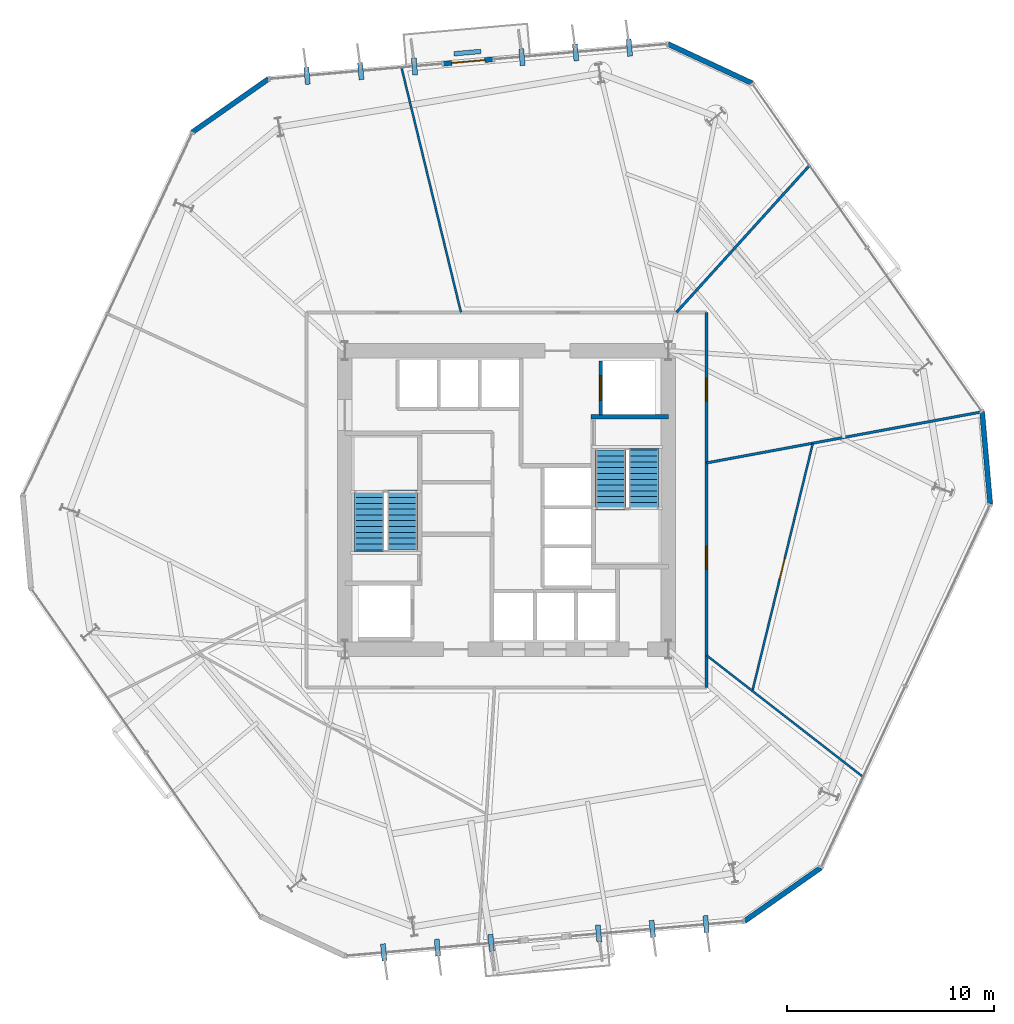
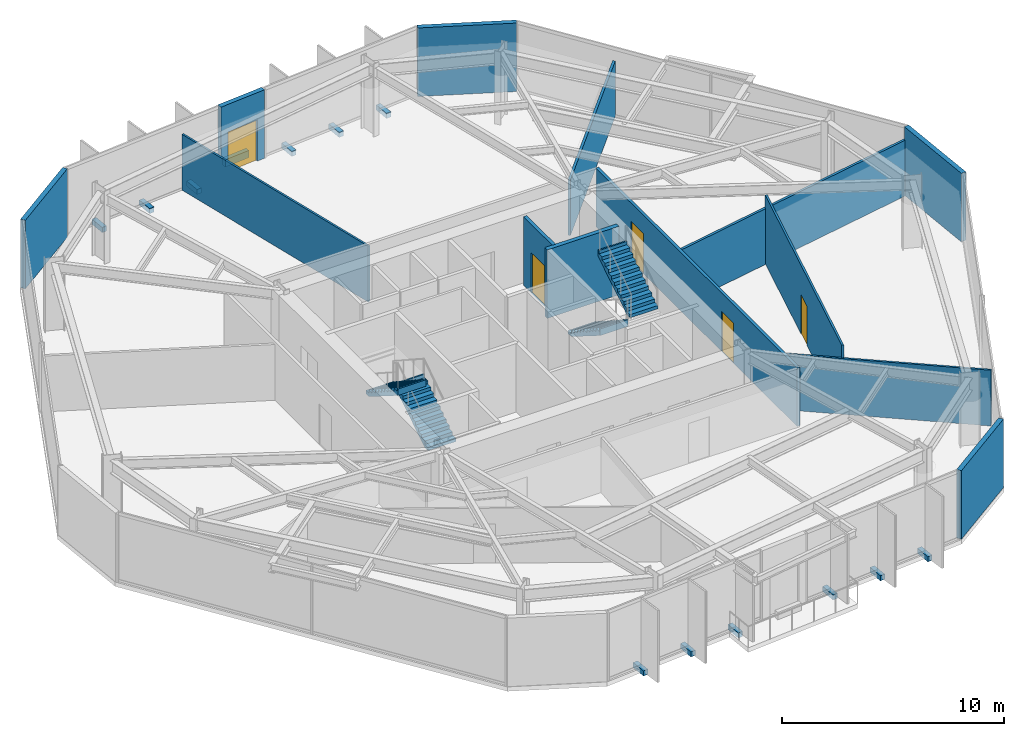
# One storey, part 8 of 11: 14 walls, 12 discrete accessories, 5 doors, 4 stair flights, 5 openings, 2 elements without a shape of their own.
"""IFC4 building model written with IfcOpenShell, lengths in metres."""

import ifcopenshell
import ifcopenshell.guid

model = None  # the IFC model being written
_history = None  # IfcOwnerHistory: only IFC2X3 demands one
_inside = {}  # id of a spatial element -> (the spatial element, [elements in it])
_under = {}  # id of a project, library or spatial element -> (it, [spatial elements below it])
_declared = {}  # id of a project -> (the project, [libraries it declares])
_typed = {}  # id of a type object -> (the type object, [elements of that type])
_made_of = {}  # id of a material, layer set ... -> (it, [elements and type objects made of it])


def new_model(schema):
    """Start an empty IFC model of exactly this schema.

    Asked for "IFC4X3", IfcOpenShell would pick the latest addendum, in which some entities
    have other attributes; the version numbers below select the first issue.
    IFC2X3 requires an IfcOwnerHistory on every rooted entity: one is made here for all.
    """
    global model, _history
    if schema == "IFC4X3":
        model = ifcopenshell.file(schema_version=(4, 3, 0, 0))
    else:
        model = ifcopenshell.file(schema=schema)
    _inside.clear()
    _under.clear()
    _declared.clear()
    _typed.clear()
    _made_of.clear()
    _history = None
    if model.schema == "IFC2X3":
        org = make("IfcOrganization", Name="unknown")
        user = make(
            "IfcPersonAndOrganization",
            ThePerson=make("IfcPerson", FamilyName="unknown"),
            TheOrganization=org,
        )
        app = make(
            "IfcApplication",
            ApplicationDeveloper=org,
            Version="unknown",
            ApplicationFullName="unknown",
            ApplicationIdentifier="unknown",
        )
        _history = make(
            "IfcOwnerHistory",
            OwningUser=user,
            OwningApplication=app,
            ChangeAction="ADDED",
            CreationDate=0,
        )
    return model


def make(cls, **values):
    """One entity of the class cls with the attributes given. An attribute that is None is left unset."""
    return model.create_entity(
        cls, **{name: value for name, value in values.items() if value is not None}
    )


def rooted(cls, **values):
    """An entity with a GlobalId (a new one), such as an element, a storey or a relation."""
    return make(cls, GlobalId=ifcopenshell.guid.new(), OwnerHistory=_history, **values)


def si_unit(unit_type, name, prefix=None):
    """IfcSIUnit, for example si_unit("LENGTHUNIT", "METRE", prefix="MILLI")."""
    return make("IfcSIUnit", UnitType=unit_type, Prefix=prefix, Name=name)


def assignment(units):
    """IfcUnitAssignment: the units of a project."""
    return None if units is None else make("IfcUnitAssignment", Units=units)


def point(xyz):
    """IfcCartesianPoint."""
    return None if xyz is None else make("IfcCartesianPoint", Coordinates=xyz)


def direction(xyz):
    """IfcDirection."""
    return None if xyz is None else make("IfcDirection", DirectionRatios=xyz)


def frame(location, z_axis=None, x_axis=None):
    """IfcAxis2Placement3D, a coordinate frame: its origin and axes. An axis left out is left unset."""
    return make(
        "IfcAxis2Placement3D",
        Location=point(location),
        Axis=direction(z_axis),
        RefDirection=direction(x_axis),
    )


def frame_2d(location, x_axis=None):
    """IfcAxis2Placement2D, a coordinate frame in the plane: its origin and x axis."""
    return make(
        "IfcAxis2Placement2D", Location=point(location), RefDirection=direction(x_axis)
    )


def origin():
    """The frame at (0, 0, 0) with its axes left unset."""
    return frame((0.0, 0.0, 0.0))


def origin_2d():
    """The frame at (0, 0) in the plane with its x axis left unset."""
    return frame_2d((0.0, 0.0))


def place(relative_to, where):
    """IfcLocalPlacement: puts the frame where relative to a parent placement (None: the world)."""
    return make(
        "IfcLocalPlacement", PlacementRelTo=relative_to, RelativePlacement=where
    )


def context(
    kind, dimensions, precision=None, world=None, true_north=None, identifier=None
):
    """IfcGeometricRepresentationContext, for example the 3D "Model" context."""
    return make(
        "IfcGeometricRepresentationContext",
        ContextIdentifier=identifier,
        ContextType=kind,
        CoordinateSpaceDimension=dimensions,
        Precision=precision,
        WorldCoordinateSystem=world,
        TrueNorth=true_north,
    )


def subcontext(parent, identifier, kind, view, scale=None):
    """IfcGeometricRepresentationSubContext, for example "Body" below "Model"."""
    return make(
        "IfcGeometricRepresentationSubContext",
        ContextIdentifier=identifier,
        ContextType=kind,
        ParentContext=parent,
        TargetScale=scale,
        TargetView=view,
    )


def project(units=None, contexts=None):
    """IfcProject with its units and contexts."""
    return rooted(
        "IfcProject",
        Name="project",
        RepresentationContexts=contexts,
        UnitsInContext=assignment(units),
    )


def spatial(cls, under=None, at=None, **own):
    """A site, building, storey or space (cls), placed at a placement, below another one or the project."""
    s = rooted(cls, ObjectPlacement=at, **own)
    if under is not None:
        _under.setdefault(under.id(), (under, []))[1].append(s)
    return s


def polyline(points):
    """IfcPolyline through the points."""
    return make("IfcPolyline", Points=[point(p) for p in points])


def profile(cls, at=None, kind="AREA", **sizes):
    """A parametric profile (cls). Its sizes go by their IFC names, for example OverallWidth=200.0."""
    return make(cls, ProfileType=kind, Position=at, **sizes)


def rectangle(**sizes):
    """IfcRectangleProfileDef."""
    return profile("IfcRectangleProfileDef", **sizes)


def outline(outer, holes=None, kind="AREA"):
    """IfcArbitraryClosedProfileDef: a profile drawn as a closed curve; with holes, ...WithVoids."""
    if holes is None:
        return make("IfcArbitraryClosedProfileDef", ProfileType=kind, OuterCurve=outer)
    return make(
        "IfcArbitraryProfileDefWithVoids",
        ProfileType=kind,
        OuterCurve=outer,
        InnerCurves=holes,
    )


def extrude(swept, where, along, depth):
    """IfcExtrudedAreaSolid: the profile swept, set in the frame where, extruded along a direction by depth."""
    return make(
        "IfcExtrudedAreaSolid",
        SweptArea=swept,
        Position=where,
        ExtrudedDirection=direction(along),
        Depth=depth,
    )


def shape(context_of_items, identifier, shape_type, items):
    """IfcShapeRepresentation: the items that make up one representation, for example the "Body"."""
    return make(
        "IfcShapeRepresentation",
        ContextOfItems=context_of_items,
        RepresentationIdentifier=identifier,
        RepresentationType=shape_type,
        Items=items,
    )


def material(Name=None, Category=None):
    """IfcMaterial."""
    return make("IfcMaterial", Name=Name, Category=Category)


def layer(
    of_material, thickness, ventilated=None, Name=None, Category=None, Priority=None
):
    """IfcMaterialLayer: one layer of a wall or slab, of a material (None: an air gap)."""
    return make(
        "IfcMaterialLayer",
        Material=of_material,
        LayerThickness=thickness,
        IsVentilated=ventilated,
        Name=Name,
        Category=Category,
        Priority=Priority,
    )


def layer_set(layers, Name=None):
    """IfcMaterialLayerSet."""
    return make("IfcMaterialLayerSet", MaterialLayers=layers, LayerSetName=Name)


def made_of(thing, what):
    """Note that an element or type object is made of a material, layer set ...; save() writes the relation."""
    if what is not None:
        _made_of.setdefault(what.id(), (what, []))[1].append(thing)
    return thing


def type_object(cls, material=None, **own):
    """A type object (cls), such as IfcWallType, which elements share."""
    return made_of(rooted(cls, **own), material)


def element(
    cls,
    number,
    at=None,
    inside=None,
    cuts=None,
    type_object=None,
    material=None,
    context=None,
    identifier="Body",
    shape_type=None,
    held_by="IfcProductDefinitionShape",
    body=None,
    shapes=None,
    **own,
):
    """One element of the class cls, such as IfcWall. Its Tag is "e" and its number.

    at: its placement. inside: the storey or other place that contains it. cuts: it is an
    opening in that element (IfcRelVoidsElement). A single representation is given by context,
    identifier, shape_type and body (its items); several are given by shapes. held_by: the class
    of the entity that holds the representations. save() writes the other relations.
    """
    e = rooted(cls, Tag="e%d" % number, ObjectPlacement=at, **own)
    if body is not None:
        shapes = [shape(context, identifier, shape_type, body)]
    if shapes is not None:
        e.Representation = make(held_by, Representations=shapes)
    if inside is not None:
        _inside.setdefault(inside.id(), (inside, []))[1].append(e)
    if cuts is not None:
        rooted(
            "IfcRelVoidsElement", RelatingBuildingElement=cuts, RelatedOpeningElement=e
        )
    if type_object is not None:
        _typed.setdefault(type_object.id(), (type_object, []))[1].append(e)
    return made_of(e, material)


def fill(opening, filler):
    """IfcRelFillsElement: the door or window that sits in an opening."""
    return rooted(
        "IfcRelFillsElement",
        RelatingOpeningElement=opening,
        RelatedBuildingElement=filler,
    )


def aggregate(whole, parts):
    """IfcRelAggregates: a whole, such as a stair, and the parts it consists of."""
    return rooted("IfcRelAggregates", RelatingObject=whole, RelatedObjects=parts)


def save(model, path):
    """Write the relations noted so far, then the file.

    IfcRelAggregates (storeys below a building ...), IfcRelContainedInSpatialStructure (elements
    in a storey), IfcRelDefinesByType, IfcRelAssociatesMaterial and IfcRelDeclares: one each for
    every whole, place, type object, material and project.
    """
    for whole, parts in _under.values():
        aggregate(whole, parts)
    for where, things in _inside.values():
        rooted(
            "IfcRelContainedInSpatialStructure",
            RelatedElements=things,
            RelatingStructure=where,
        )
    for kind, things in _typed.values():
        rooted("IfcRelDefinesByType", RelatedObjects=things, RelatingType=kind)
    for what, things in _made_of.values():
        rooted("IfcRelAssociatesMaterial", RelatedObjects=things, RelatingMaterial=what)
    for by, libraries in _declared.values():
        rooted("IfcRelDeclares", RelatingContext=by, RelatedDefinitions=libraries)
    model.write(path)


model = new_model("IFC4")

# Units and contexts
model_context = context("Model", 3, precision=1e-05, world=origin(), true_north=direction((0.0, 1.0)))
body_context = subcontext(model_context, "Body", "Model", "MODEL_VIEW")
ifc_project = project(units=[si_unit("LENGTHUNIT", "METRE"), si_unit("AREAUNIT", "SQUARE_METRE"), si_unit("VOLUMEUNIT", "CUBIC_METRE"), si_unit("PLANEANGLEUNIT", "RADIAN"), si_unit("MASSUNIT", "GRAM", prefix="KILO")], contexts=[model_context])

# Site, building, storey
site_placement = place(None, origin())
site = spatial("IfcSite", under=ifc_project, at=site_placement, CompositionType="ELEMENT")
building_placement = place(site_placement, origin())
building = spatial("IfcBuilding", under=site, at=building_placement, Name="Kranzbogen Civic Tower", CompositionType="ELEMENT")
storey_placement = place(building_placement, frame((0.0, 0.0, 40.0)))
storey = spatial("IfcBuildingStorey", under=building, at=storey_placement, Name="L09", CompositionType="ELEMENT", Elevation=40.0)

# Wall, openings, doors
ifc_material_1 = material(Name="Double-Stud Acoustic Gypsum Partition")
ifc_layer_1 = layer(ifc_material_1, 0.14990234375, Name="Double-Stud Acoustic Gypsum Partition")
ifc_layer_set_1 = layer_set([ifc_layer_1], Name="Double-Stud Acoustic Gypsum Partition")
wall_type_1 = type_object("IfcWallType", Name="Acoustic Corridor and Clinical Partition 150 mm", PredefinedType="PARTITIONING", material=ifc_layer_set_1)
wall_1_placement = place(storey_placement, frame((34.64990234375, 34.050048828125, 0.0), z_axis=(0.0, 0.0, 1.0), x_axis=(0.0, -1.0, 0.0)))
wall_1 = element("IfcWall", 1, at=wall_1_placement, inside=storey, type_object=wall_type_1, Name="L09 corridor partition 02", PredefinedType="PARTITIONING", context=body_context, shape_type="SweptSolid", body=[
    extrude(rectangle(XDim=18.10009765625, YDim=0.14990234375, at=frame_2d((9.050048828125, 0.0))), origin(), (0.0, 0.0, 1.0), 3.2099609375),
])
opening_1_placement = place(wall_1_placement, frame((11.291015625, 0.0, 0.0)))
opening_1 = element("IfcOpeningElement", 2, at=opening_1_placement, cuts=wall_1, Name="Opening D-COR60", PredefinedType="OPENING", context=body_context, shape_type="SweptSolid", body=[
    extrude(rectangle(XDim=1.10009765625, YDim=2.199951171875, at=frame_2d((0.550048828125, 1.10009765625))), frame((0.0, 0.0849609375, 0.0), z_axis=(0.0, -1.0, 0.0), x_axis=(1.0, 0.0, 0.0)), (0.0, 0.0, 1.0), 0.169921875),
])
opening_2_placement = place(wall_1_placement, frame((3.1689453125, 0.0, 0.0)))
opening_2 = element("IfcOpeningElement", 3, at=opening_2_placement, cuts=wall_1, Name="Opening D-COR60", PredefinedType="OPENING", context=body_context, shape_type="SweptSolid", body=[
    extrude(rectangle(XDim=1.10009765625, YDim=2.199951171875, at=frame_2d((0.550048828125, 1.10009765625))), frame((0.0, 0.0849609375, 0.0), z_axis=(0.0, -1.0, 0.0), x_axis=(1.0, 0.0, 0.0)), (0.0, 0.0, 1.0), 0.169921875),
])
ifc_material_2 = material(Name="Oak Timber and Fire Core", Category="wood")
door_type_1 = type_object("IfcDoorType", Name="Corridor Acoustic Fire Door 1100x2200", OperationType="NOTDEFINED", PredefinedType="DOOR", material=ifc_material_2)
door_1_placement = place(opening_1_placement, origin())
door_1 = element("IfcDoor", 4, at=door_1_placement, inside=storey, type_object=door_type_1, Name="L09 Urban Design Workshop door", OperationType="SINGLE_SWING_LEFT", OverallHeight=2.199951171875, OverallWidth=1.10009765625, PredefinedType="DOOR", context=body_context, shape_type="SweptSolid", body=[
    extrude(rectangle(XDim=1.10009765625, YDim=2.199951171875, at=frame_2d((0.550048828125, 1.10009765625))), frame((0.0, 0.02490234375, 0.0), z_axis=(0.0, -1.0, 0.0), x_axis=(1.0, 0.0, 0.0)), (0.0, 0.0, 1.0), 0.050048828125),
])
fill(opening_1, door_1)
door_2_placement = place(opening_2_placement, origin())
door_2 = element("IfcDoor", 5, at=door_2_placement, inside=storey, type_object=door_type_1, Name="L09 Staff Tea Pantry door", OperationType="SINGLE_SWING_LEFT", OverallHeight=2.199951171875, OverallWidth=1.10009765625, PredefinedType="DOOR", context=body_context, shape_type="SweptSolid", body=[
    extrude(rectangle(XDim=1.10009765625, YDim=2.199951171875, at=frame_2d((0.550048828125, 1.10009765625))), frame((0.0, 0.02490234375, 0.0), z_axis=(0.0, -1.0, 0.0), x_axis=(1.0, 0.0, 0.0)), (0.0, 0.0, 1.0), 0.050048828125),
])
fill(opening_2, door_2)

# Walls
ifc_material_3 = material(Name="Insulated Metal-Stud Gypsum Partition")
ifc_layer_2 = layer(ifc_material_3, 0.125, Name="Insulated Metal-Stud Gypsum Partition")
ifc_layer_set_2 = layer_set([ifc_layer_2], Name="Insulated Metal-Stud Gypsum Partition")
wall_type_2 = type_object("IfcWallType", Name="Acoustic Inter-Room Partition 125 mm", PredefinedType="PARTITIONING", material=ifc_layer_set_2)
wall_2_placement = place(storey_placement, frame((33.196044921875, 34.050048828125, 0.0), z_axis=(0.0, 0.0, 1.0), x_axis=(0.671279167316, 0.741204613806, 0.0)))
element("IfcWall", 6, at=wall_2_placement, inside=storey, type_object=wall_type_2, Name="L09 radial room partition 01", PredefinedType="PARTITIONING", context=body_context, shape_type="SweptSolid", body=[
    extrude(rectangle(XDim=9.53857421875, YDim=0.125, at=frame_2d((4.769287109375, 0.0))), origin(), (0.0, 0.0, 1.0), 3.050048828125),
])
wall_3_placement = place(storey_placement, frame((34.64990234375, 26.7890625, 0.0), z_axis=(0.0, 0.0, 1.0), x_axis=(0.983241891736, 0.182305738625, 0.0)))
element("IfcWall", 7, at=wall_3_placement, inside=storey, type_object=wall_type_2, Name="L09 radial room partition 07", PredefinedType="PARTITIONING", context=body_context, shape_type="SweptSolid", body=[
    extrude(rectangle(XDim=13.48828125, YDim=0.125, at=frame_2d((6.744140625, 0.0))), origin(), (0.0, 0.0, 1.0), 3.06005859375),
])
ifc_material_4 = material(Name="Architectural Precast Terracotta Concrete C40/50", Category="masonry")
ifc_layer_3 = layer(ifc_material_4, 0.219970703125, Name="Architectural Precast Terracotta Concrete C40/50")
ifc_layer_set_3 = layer_set([ifc_layer_3], Name="Architectural Precast Terracotta Concrete C40/50")
wall_type_3 = type_object("IfcWallType", Name="Architectural Tree Planter Kerb Wall 220 mm", PredefinedType="USERDEFINED", material=ifc_layer_set_3)
wall_4_placement = place(storey_placement, frame((23.760986328125, 46.62890625, 0.0), z_axis=(0.0, 0.0, 1.0), x_axis=(-0.996152048595, -0.087641862602, 0.0)))
element("IfcWall", 8, at=wall_4_placement, inside=storey, type_object=wall_type_3, Name="L09 landscaped tree balcony planter L09-TB1", ObjectType="PLANTER_WALL", PredefinedType="USERDEFINED", context=body_context, shape_type="SweptSolid", body=[
    extrude(rectangle(XDim=1.301025390625, YDim=0.219970703125, at=frame_2d((0.650390625, 0.0))), origin(), (0.0, 0.0, 1.0), 0.39990234375),
])
ifc_material_5 = material(Name="Concrete C45/55", Category="concrete")
ifc_layer_4 = layer(ifc_material_5, 0.219970703125, Name="Concrete C45/55")
ifc_layer_set_4 = layer_set([ifc_layer_4], Name="Concrete C45/55")
wall_type_4 = type_object("IfcWallType", Name="Core Internal Stair Structural Wall 220 mm", PredefinedType="SOLIDWALL", material=ifc_layer_set_4)
wall_5_placement = place(storey_placement, frame((29.080078125, 29.010009765625, 0.0), z_axis=(0.0, 0.0, 1.0), x_axis=(1.0, 0.0, 0.0)))
element("IfcWall", 9, at=wall_5_placement, inside=storey, type_object=wall_type_4, Name="L09 ST-T2 North structural stair wall", PredefinedType="SOLIDWALL", context=body_context, shape_type="SweptSolid", body=[
    extrude(rectangle(XDim=3.719970703125, YDim=0.219970703125, at=frame_2d((1.85986328125, 0.0))), origin(), (0.0, 0.0, 1.0), 3.760009765625),
])
ifc_material_6 = material(Name="Demountable Aluminium and Gypsum Partition", Category="aluminium")
ifc_layer_5 = layer(ifc_material_6, 0.10009765625, Name="Demountable Aluminium and Gypsum Partition")
ifc_layer_set_5 = layer_set([ifc_layer_5], Name="Demountable Aluminium and Gypsum Partition")
wall_type_5 = type_object("IfcWallType", Name="Demountable Office Partition 100 mm", PredefinedType="MOVABLE", material=ifc_layer_set_5)
wall_6_placement = place(storey_placement, frame((22.802001953125, 34.050048828125, 0.0), z_axis=(0.0, 0.0, 1.0), x_axis=(-0.236073856764, 0.971735115221, 0.0)))
element("IfcWall", 10, at=wall_6_placement, inside=storey, type_object=wall_type_5, Name="L09 radial room partition 02", PredefinedType="MOVABLE", context=body_context, shape_type="SweptSolid", body=[
    extrude(rectangle(XDim=12.135986328125, YDim=0.10009765625, at=frame_2d((6.06787109375, 0.0))), origin(), (0.0, 0.0, 1.0), 3.06005859375),
])
wall_7_placement = place(storey_placement, frame((34.64990234375, 17.5048828125, 0.0), z_axis=(0.0, 0.0, 1.0), x_axis=(0.789793468824, -0.613372869145, 0.0)))
element("IfcWall", 11, at=wall_7_placement, inside=storey, type_object=wall_type_5, Name="L09 radial room partition 06", PredefinedType="MOVABLE", context=body_context, shape_type="SweptSolid", body=[
    extrude(rectangle(XDim=9.529296875, YDim=0.10009765625, at=frame_2d((4.7646484375, 0.0))), origin(), (0.0, 0.0, 1.0), 3.06005859375),
])

# Wall, opening, door
wall_8_placement = place(storey_placement, frame((36.85888671875, 15.80810546875, 0.0), z_axis=(0.0, 0.0, 1.0), x_axis=(0.237065253886, 0.971493728955, 0.0)))
wall_8 = element("IfcWall", 12, at=wall_8_placement, inside=storey, type_object=wall_type_5, Name="L09 suite chord partition 02", PredefinedType="MOVABLE", context=body_context, shape_type="SweptSolid", body=[
    extrude(rectangle(XDim=12.263427734375, YDim=0.10009765625, at=frame_2d((6.1318359375, 0.0))), origin(), (0.0, 0.0, 1.0), 3.760009765625),
])
opening_3_placement = place(wall_8_placement, frame((5.5419921875, 0.0, 0.0)))
opening_3 = element("IfcOpeningElement", 13, at=opening_3_placement, cuts=wall_8, Name="Opening D-OFC10", PredefinedType="OPENING", context=body_context, shape_type="SweptSolid", body=[
    extrude(rectangle(XDim=1.0, YDim=2.14990234375, at=frame_2d((0.5, 1.074951171875))), frame((0.0, 0.06005859375, 0.0), z_axis=(0.0, -1.0, 0.0), x_axis=(1.0, 0.0, 0.0)), (0.0, 0.0, 1.0), 0.1201171875),
])
ifc_material_7 = material(Name="Oak Timber Veneer", Category="wood")
door_type_2 = type_object("IfcDoorType", Name="Standard Office Acoustic Door 1000x2150", OperationType="NOTDEFINED", PredefinedType="DOOR", material=ifc_material_7)
door_3_placement = place(opening_3_placement, origin())
door_3 = element("IfcDoor", 14, at=door_3_placement, inside=storey, type_object=door_type_2, Name="L09 Cultural Screening Clubroom door", OperationType="SINGLE_SWING_RIGHT", OverallHeight=2.14990234375, OverallWidth=1.0, PredefinedType="DOOR", context=body_context, shape_type="SweptSolid", body=[
    extrude(rectangle(XDim=1.0, YDim=2.14990234375, at=frame_2d((0.5, 1.074951171875))), frame((0.0, 0.02490234375, 0.0), z_axis=(0.0, -1.0, 0.0), x_axis=(1.0, 0.0, 0.0)), (0.0, 0.0, 1.0), 0.050048828125),
])
fill(opening_3, door_3)

ifc_material_8 = material(Name="Gypsum Fireboard Shaftliner")
ifc_layer_6 = layer(ifc_material_8, 0.175048828125, Name="Gypsum Fireboard Shaftliner")
ifc_layer_set_6 = layer_set([ifc_layer_6], Name="Gypsum Fireboard Shaftliner")
wall_type_6 = type_object("IfcWallType", Name="Fire-Rated Lift and Service Shaft Wall 175 mm", PredefinedType="PARTITIONING", material=ifc_layer_set_6)
wall_9_placement = place(storey_placement, frame((29.550048828125, 29.10009765625, 0.0), z_axis=(0.0, 0.0, 1.0), x_axis=(0.0, 1.0, 0.0)))
wall_9 = element("IfcWall", 15, at=wall_9_placement, inside=storey, type_object=wall_type_6, Name="L09 lift FF-02 landing wall", PredefinedType="PARTITIONING", context=body_context, shape_type="SweptSolid", body=[
    extrude(rectangle(XDim=2.599853515625, YDim=0.175048828125, at=frame_2d((1.2998046875, 0.0))), origin(), (0.0, 0.0, 1.0), 3.760009765625),
])
opening_4_placement = place(wall_9_placement, frame((0.699951171875, 0.0, 0.0)))
opening_4 = element("IfcOpeningElement", 16, at=opening_4_placement, cuts=wall_9, Name="Opening LD-FF-02", PredefinedType="OPENING", context=body_context, shape_type="SweptSolid", body=[
    extrude(rectangle(XDim=1.199951171875, YDim=2.199951171875, at=frame_2d((0.60009765625, 1.10009765625))), frame((0.0, 0.09765625, 0.0), z_axis=(0.0, -1.0, 0.0), x_axis=(1.0, 0.0, 0.0)), (0.0, 0.0, 1.0), 0.195068359375),
])
ifc_material_9 = material(Name="Pale Anodised Aluminium", Category="aluminium")
door_type_3 = type_object("IfcDoorType", Name="Firefighting and Stretcher Lift Sliding Landing Door 1200x2200", OperationType="DOUBLE_DOOR_SLIDING", PredefinedType="DOOR", material=ifc_material_9)
door_4_placement = place(opening_4_placement, origin())
door_4 = element("IfcDoor", 17, at=door_4_placement, inside=storey, type_object=door_type_3, Name="L09 lift FF-02 sliding landing door", OperationType="DOUBLE_DOOR_SLIDING", OverallHeight=2.199951171875, OverallWidth=1.199951171875, PredefinedType="DOOR", context=body_context, shape_type="SweptSolid", body=[
    extrude(rectangle(XDim=1.199951171875, YDim=2.199951171875, at=frame_2d((0.60009765625, 1.10009765625))), frame((0.0, 0.02490234375, 0.0), z_axis=(0.0, -1.0, 0.0), x_axis=(1.0, 0.0, 0.0)), (0.0, 0.0, 1.0), 0.050048828125),
])
fill(opening_4, door_4)

# Wall
ifc_layer_7 = layer(ifc_material_9, 0.239990234375, Name="Pale Anodised Aluminium")
ifc_layer_set_7 = layer_set([ifc_layer_7], Name="Pale Anodised Aluminium")
wall_type_7 = type_object("IfcWallType", Name="Insulated Aluminium Facade Portal Wall 240 mm", PredefinedType="STANDARD", material=ifc_layer_set_7)
wall_10_placement = place(storey_placement, frame((36.837890625, 45.093994140625, 0.0), z_axis=(0.0, 0.0, 1.0), x_axis=(-0.906245873292, 0.422751010811, 0.0)))
element("IfcWall", 18, at=wall_10_placement, inside=storey, type_object=wall_type_7, Name="L09 chamfered corner facade spandrel 1", PredefinedType="STANDARD", context=body_context, shape_type="SweptSolid", body=[
    extrude(rectangle(XDim=4.473388671875, YDim=0.239990234375, at=frame_2d((2.23681640625, 0.0))), origin(), (0.0, 0.0, 1.0), 3.760009765625),
])

# Wall, opening, door
wall_11_placement = place(storey_placement, frame((24.345947265625, 46.2470703125, 0.0), z_axis=(0.0, 0.0, 1.0), x_axis=(-0.996166175014, -0.087481150874, 0.0)))
wall_11 = element("IfcWall", 19, at=wall_11_placement, inside=storey, type_object=wall_type_7, Name="L09 exterior entrance portal wall 1", PredefinedType="STANDARD", context=body_context, shape_type="SweptSolid", body=[
    extrude(rectangle(XDim=2.400146484375, YDim=0.239990234375, at=frame_2d((1.2001953125, 0.0))), origin(), (0.0, 0.0, 1.0), 3.760009765625),
])
opening_5_placement = place(wall_11_placement, frame((0.39990234375, 0.0, 0.0)))
opening_5 = element("IfcOpeningElement", 20, at=opening_5_placement, cuts=wall_11, Name="Opening D-TER", PredefinedType="OPENING", context=body_context, shape_type="SweptSolid", body=[
    extrude(rectangle(XDim=1.60009765625, YDim=2.25, at=frame_2d((0.800048828125, 1.125))), frame((0.0, 0.1298828125, 0.0), z_axis=(0.0, -1.0, 0.0), x_axis=(1.0, 0.0, 0.0)), (0.0, 0.0, 1.0), 0.260009765625),
])
ifc_material_10 = material(Name="Anodised Bronze and Triple Glass", Category="glass")
door_type_4 = type_object("IfcDoorType", Name="Glazed Terrace and Balcony Double Door 1600x2250", OperationType="DOUBLE_DOOR_SINGLE_SWING", PredefinedType="DOOR", material=ifc_material_10)
door_5_placement = place(opening_5_placement, frame((1.60009765625, 0.0, 0.0), z_axis=(0.0, 0.0, 1.0), x_axis=(-1.0, 0.0, 0.0)))
door_5 = element("IfcDoor", 21, at=door_5_placement, inside=storey, type_object=door_type_4, Name="L09 tree balcony access door L09-TB1", OperationType="DOUBLE_DOOR_SINGLE_SWING", OverallHeight=2.25, OverallWidth=1.60009765625, PredefinedType="DOOR", context=body_context, shape_type="SweptSolid", body=[
    extrude(rectangle(XDim=1.60009765625, YDim=2.25, at=frame_2d((0.800048828125, 1.125))), frame((0.0, 0.02490234375, 0.0), z_axis=(0.0, -1.0, 0.0), x_axis=(1.0, 0.0, 0.0)), (0.0, 0.0, 1.0), 0.050048828125),
])
fill(opening_5, door_5)

# Walls
for number, where, z_axis, x_axis, name in (
    (22, (13.51708984375, 45.299072265625, 0.0), (0.0, 0.0, 1.0), (-0.819196018056, -0.573513630178, 0.0), "L09 chamfered corner facade spandrel 2"),
    (23, (36.48291015625, 4.700927734375, 0.0), (0.0, 0.0, 1.0), (0.819196018056, 0.573513630178, 0.0), "L09 chamfered corner facade spandrel 5"),
):
    element("IfcWall", number, at=place(storey_placement, frame(where, z_axis=z_axis, x_axis=x_axis)), inside=storey, type_object=wall_type_7, Name=name, PredefinedType="STANDARD", context=body_context, shape_type="SweptSolid", body=[
        extrude(rectangle(XDim=4.47265625, YDim=0.239990234375, at=frame_2d((2.236328125, 0.0))), origin(), (0.0, 0.0, 1.0), 3.760009765625),
    ])
wall_12_placement = place(storey_placement, frame((48.321044921875, 24.794921875, 0.0), z_axis=(0.0, 0.0, 1.0), x_axis=(-0.087218406941, 0.996189213699, 0.0)))
element("IfcWall", 24, at=wall_12_placement, inside=storey, type_object=wall_type_7, Name="L09 chamfered corner facade spandrel 6", PredefinedType="STANDARD", context=body_context, shape_type="SweptSolid", body=[
    extrude(rectangle(XDim=4.47314453125, YDim=0.239990234375, at=frame_2d((2.236572265625, 0.0))), origin(), (0.0, 0.0, 1.0), 3.760009765625),
])

# Stair, stair flights
ifc_material_11 = material(Name="Precast concrete C40/50", Category="concrete")
stair_type_1 = type_object("IfcStairType", Name="Tower Core Pressurized Dogleg Stair 1450", PredefinedType="HALF_TURN_STAIR", material=ifc_material_11)
stair_1_placement = place(storey_placement, origin())
stair_1 = element("IfcStair", 25, at=stair_1_placement, inside=storey, type_object=stair_type_1, Name="L09 Tower Core Pressurized Stair 1", PredefinedType="HALF_TURN_STAIR")
stair_flight_type = type_object("IfcStairFlightType", Name="Precast Concrete Stair Flight R180", PredefinedType="STRAIGHT", material=ifc_material_11)
stair_flight_1_placement = place(storey_placement, frame((19.97509765625, 22.60009765625, 0.0), z_axis=(0.0, 0.0, 1.0), x_axis=(0.0, 1.0, 0.0)))
stair_flight_1 = element("IfcStairFlight", 26, at=stair_flight_1_placement, type_object=stair_flight_type, Name="ST-T1 flight 1", NumberOfRisers=11, NumberOfTreads=10, PredefinedType="STRAIGHT", RiserHeight=0.181818182, TreadLength=0.28, context=body_context, shape_type="SweptSolid", body=[
    extrude(outline(polyline([(0.0, 0.0), (0.0, 0.181884765625), (0.280029296875, 0.181884765625), (0.280029296875, 0.363525390625), (0.56005859375, 0.363525390625), (0.56005859375, 0.54541015625), (0.840087890625, 0.54541015625), (0.840087890625, 0.727294921875), (1.1201171875, 0.727294921875), (1.1201171875, 0.9091796875), (1.39990234375, 0.9091796875), (1.39990234375, 1.0908203125), (1.679931640625, 1.0908203125), (1.679931640625, 1.272705078125), (1.9599609375, 1.272705078125), (1.9599609375, 1.45458984375), (2.239990234375, 1.45458984375), (2.239990234375, 1.636474609375), (2.52001953125, 1.636474609375), (2.52001953125, 1.818115234375), (2.800048828125, 1.818115234375), (2.800048828125, 2.0), (2.880126953125, 2.0), (2.880126953125, 1.639404296875), (0.275146484375, 0.0), (0.0, 0.0)])), frame((0.0, 0.72509765625, 0.0), z_axis=(0.0, -1.0, 0.0), x_axis=(1.0, 0.0, 0.0)), (0.0, 0.0, 1.0), 1.449951171875),
])
stair_flight_2_placement = place(storey_placement, frame((18.375, 25.39990234375, 2.0), z_axis=(0.0, 0.0, 1.0), x_axis=(0.0, -1.0, 0.0)))
stair_flight_2 = element("IfcStairFlight", 27, at=stair_flight_2_placement, type_object=stair_flight_type, Name="ST-T1 flight 2", NumberOfRisers=11, NumberOfTreads=10, PredefinedType="STRAIGHT", RiserHeight=0.181818182, TreadLength=0.28, context=body_context, shape_type="SweptSolid", body=[
    extrude(outline(polyline([(0.0, 0.0), (0.0, 0.181884765625), (0.280029296875, 0.181884765625), (0.280029296875, 0.363525390625), (0.56005859375, 0.363525390625), (0.56005859375, 0.54541015625), (0.840087890625, 0.54541015625), (0.840087890625, 0.727294921875), (1.1201171875, 0.727294921875), (1.1201171875, 0.9091796875), (1.39990234375, 0.9091796875), (1.39990234375, 1.0908203125), (1.679931640625, 1.0908203125), (1.679931640625, 1.272705078125), (1.9599609375, 1.272705078125), (1.9599609375, 1.45458984375), (2.239990234375, 1.45458984375), (2.239990234375, 1.636474609375), (2.52001953125, 1.636474609375), (2.52001953125, 1.818115234375), (2.800048828125, 1.818115234375), (2.800048828125, 2.0), (2.880126953125, 2.0), (2.880126953125, 1.639404296875), (0.275146484375, 0.0), (0.0, 0.0)])), frame((0.0, 0.72509765625, 0.0), z_axis=(0.0, -1.0, 0.0), x_axis=(1.0, 0.0, 0.0)), (0.0, 0.0, 1.0), 1.449951171875),
])
aggregate(stair_1, [stair_flight_1, stair_flight_2])

stair_type_2 = type_object("IfcStairType", Name="Tower Core Secondary Dogleg Stair 1450", PredefinedType="HALF_TURN_STAIR", material=ifc_material_11)
stair_2_placement = place(storey_placement, origin())
stair_2 = element("IfcStair", 28, at=stair_2_placement, inside=storey, type_object=stair_type_2, Name="L09 Tower Core Pressurized Stair 2", PredefinedType="HALF_TURN_STAIR")
stair_flight_3_placement = place(storey_placement, frame((30.02490234375, 27.39990234375, 0.0), z_axis=(0.0, 0.0, 1.0), x_axis=(0.0, -1.0, 0.0)))
stair_flight_3 = element("IfcStairFlight", 29, at=stair_flight_3_placement, type_object=stair_flight_type, Name="ST-T2 flight 1", NumberOfRisers=11, NumberOfTreads=10, PredefinedType="STRAIGHT", RiserHeight=0.181818182, TreadLength=0.28, context=body_context, shape_type="SweptSolid", body=[
    extrude(outline(polyline([(0.0, 0.0), (0.0, 0.181884765625), (0.280029296875, 0.181884765625), (0.280029296875, 0.363525390625), (0.56005859375, 0.363525390625), (0.56005859375, 0.54541015625), (0.840087890625, 0.54541015625), (0.840087890625, 0.727294921875), (1.1201171875, 0.727294921875), (1.1201171875, 0.9091796875), (1.39990234375, 0.9091796875), (1.39990234375, 1.0908203125), (1.679931640625, 1.0908203125), (1.679931640625, 1.272705078125), (1.9599609375, 1.272705078125), (1.9599609375, 1.45458984375), (2.239990234375, 1.45458984375), (2.239990234375, 1.636474609375), (2.52001953125, 1.636474609375), (2.52001953125, 1.818115234375), (2.800048828125, 1.818115234375), (2.800048828125, 2.0), (2.880126953125, 2.0), (2.880126953125, 1.639404296875), (0.275146484375, 0.0), (0.0, 0.0)])), frame((0.0, 0.72509765625, 0.0), z_axis=(0.0, -1.0, 0.0), x_axis=(1.0, 0.0, 0.0)), (0.0, 0.0, 1.0), 1.449951171875),
])
stair_flight_4_placement = place(storey_placement, frame((31.625, 24.60009765625, 2.0), z_axis=(0.0, 0.0, 1.0), x_axis=(0.0, 1.0, 0.0)))
stair_flight_4 = element("IfcStairFlight", 30, at=stair_flight_4_placement, type_object=stair_flight_type, Name="ST-T2 flight 2", NumberOfRisers=11, NumberOfTreads=10, PredefinedType="STRAIGHT", RiserHeight=0.181818182, TreadLength=0.28, context=body_context, shape_type="SweptSolid", body=[
    extrude(outline(polyline([(0.0, 0.0), (0.0, 0.181884765625), (0.280029296875, 0.181884765625), (0.280029296875, 0.363525390625), (0.56005859375, 0.363525390625), (0.56005859375, 0.54541015625), (0.840087890625, 0.54541015625), (0.840087890625, 0.727294921875), (1.1201171875, 0.727294921875), (1.1201171875, 0.9091796875), (1.39990234375, 0.9091796875), (1.39990234375, 1.0908203125), (1.679931640625, 1.0908203125), (1.679931640625, 1.272705078125), (1.9599609375, 1.272705078125), (1.9599609375, 1.45458984375), (2.239990234375, 1.45458984375), (2.239990234375, 1.636474609375), (2.52001953125, 1.636474609375), (2.52001953125, 1.818115234375), (2.800048828125, 1.818115234375), (2.800048828125, 2.0), (2.880126953125, 2.0), (2.880126953125, 1.639404296875), (0.275146484375, 0.0), (0.0, 0.0)])), frame((0.0, 0.72509765625, 0.0), z_axis=(0.0, -1.0, 0.0), x_axis=(1.0, 0.0, 0.0)), (0.0, 0.0, 1.0), 1.449951171875),
])
aggregate(stair_2, [stair_flight_3, stair_flight_4])

# Discrete accessories
ifc_material_12 = material(Name="Steel S355", Category="steel")
discrete_accessory_type = type_object("IfcDiscreteAccessoryType", Name="Structural Curtain-Wall Fin Support Bracket", PredefinedType="BRACKET", material=ifc_material_12)
for number, where, z_axis, x_axis, name in (
    (31, (30.922119140625, 46.80908203125, -0.25), (0.0, 0.0, 1.0), (-0.087155742748, 0.996194698092, 0.0), "L09 facade fin support bracket F2-1"),
    (32, (28.33203125, 46.5830078125, -0.25), (0.0, 0.0, 1.0), (-0.087155742748, 0.996194698092, 0.0), "L09 facade fin support bracket F2-2"),
    (33, (25.741943359375, 46.35595703125, -0.25), (0.0, 0.0, 1.0), (-0.087155742748, 0.996194698092, 0.0), "L09 facade fin support bracket F2-3"),
    (34, (20.56201171875, 45.903076171875, -0.25), (0.0, 0.0, 1.0), (-0.087155742748, 0.996194698092, 0.0), "L09 facade fin support bracket F2-5"),
    (35, (17.970947265625, 45.676025390625, -0.25), (0.0, 0.0, 1.0), (-0.087155742748, 0.996194698092, 0.0), "L09 facade fin support bracket F2-6"),
    (36, (15.381103515625, 45.449951171875, -0.25), (0.0, 0.0, 1.0), (-0.087155742748, 0.996194698092, 0.0), "L09 facade fin support bracket F2-7"),
    (37, (19.077880859375, 3.19091796875, -0.25), (0.0, 0.0, 1.0), (0.087155742748, -0.996194698092, 0.0), "L09 facade fin support bracket F5-1"),
    (38, (21.66796875, 3.4169921875, -0.25), (0.0, 0.0, 1.0), (0.087155742748, -0.996194698092, 0.0), "L09 facade fin support bracket F5-2"),
    (39, (24.258056640625, 3.64404296875, -0.25), (0.0, 0.0, 1.0), (0.087155742748, -0.996194698092, 0.0), "L09 facade fin support bracket F5-3"),
    (40, (29.43798828125, 4.096923828125, -0.25), (0.0, 0.0, 1.0), (0.087155742748, -0.996194698092, 0.0), "L09 facade fin support bracket F5-5"),
    (41, (32.029052734375, 4.323974609375, -0.25), (0.0, 0.0, 1.0), (0.087155742748, -0.996194698092, 0.0), "L09 facade fin support bracket F5-6"),
    (42, (34.618896484375, 4.550048828125, -0.25), (0.0, 0.0, 1.0), (0.087155742748, -0.996194698092, 0.0), "L09 facade fin support bracket F5-7"),
):
    element("IfcDiscreteAccessory", number, at=place(storey_placement, frame(where, z_axis=z_axis, x_axis=x_axis)), inside=storey, type_object=discrete_accessory_type, Name=name, PredefinedType="BRACKET", context=body_context, shape_type="SweptSolid", body=[
        extrude(rectangle(XDim=0.820068359375, YDim=0.239990234375, at=origin_2d()), origin(), (0.0, 0.0, 1.0), 0.280029296875),
    ])

save(model, "model.ifc")
